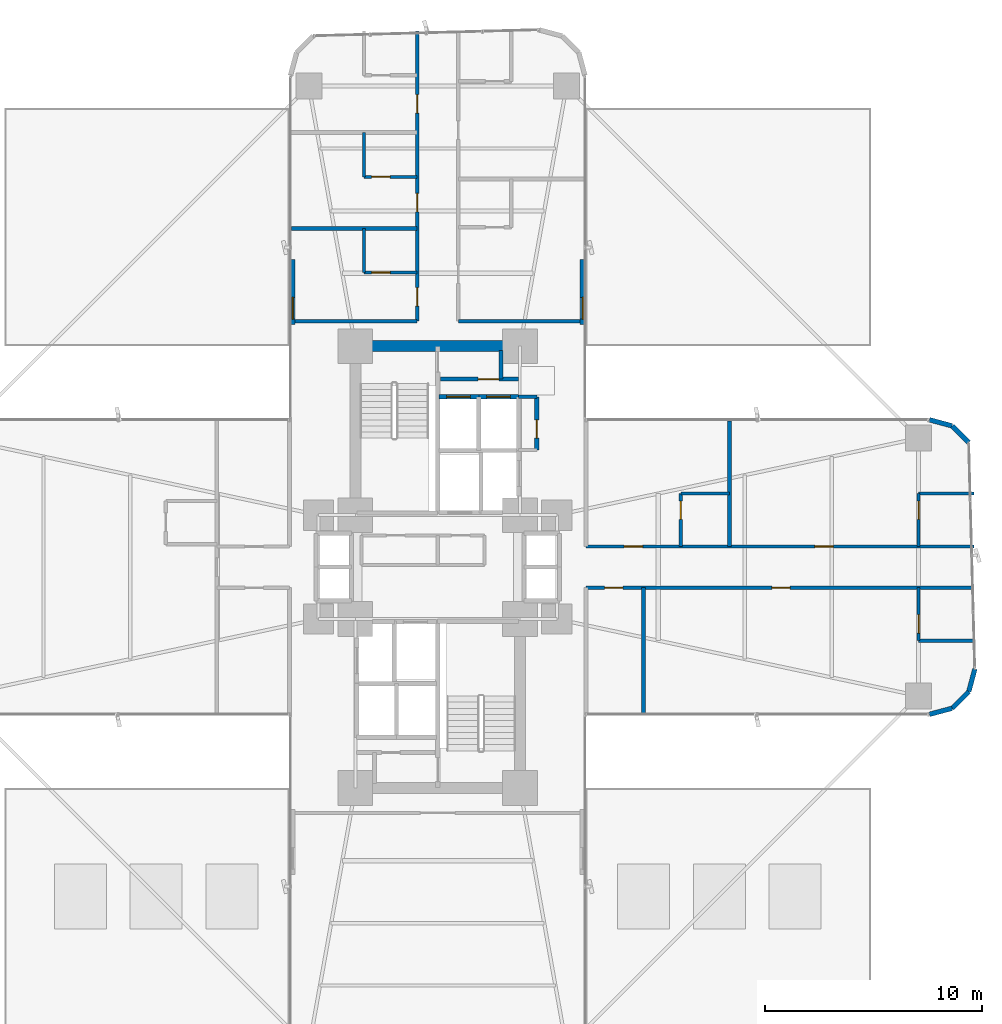
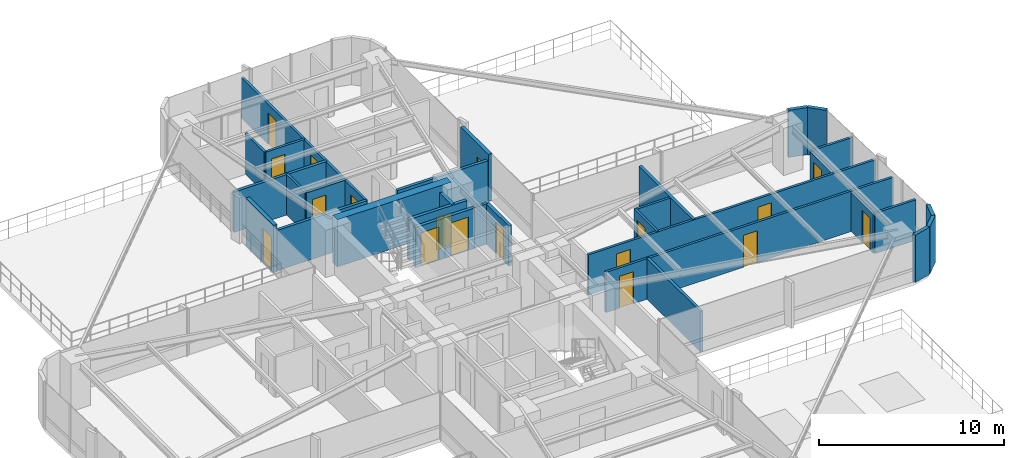
# One storey, part 23 of 27: 32 walls, 18 doors, 18 openings.
"""IFC4 building model written with IfcOpenShell, lengths in metres."""

from ifc_helpers import new_model, si_unit, direction, frame, frame_2d, origin, origin_2d, place, context, subcontext, project, spatial, rectangle, extrude, source, transform, mapped, material, layer, layer_set, type_object, element, fill, save


model = new_model("IFC4")

# Units and contexts
model_context = context("Model", 3, precision=1e-05, world=origin(), true_north=direction((0.0, 1.0)))
body_context = subcontext(model_context, "Body", "Model", "MODEL_VIEW")
ifc_project = project(units=[si_unit("LENGTHUNIT", "METRE"), si_unit("AREAUNIT", "SQUARE_METRE"), si_unit("VOLUMEUNIT", "CUBIC_METRE"), si_unit("PLANEANGLEUNIT", "RADIAN"), si_unit("MASSUNIT", "GRAM", prefix="KILO")], contexts=[model_context])

# Site, building, storey
site_placement = place(None, origin())
site = spatial("IfcSite", under=ifc_project, at=site_placement, CompositionType="ELEMENT")
building_placement = place(site_placement, origin())
building = spatial("IfcBuilding", under=site, at=building_placement, Name="Sahyath Konkavel Grand Hotel", CompositionType="ELEMENT")
storey_placement = place(building_placement, frame((0.0, 0.0, 23.10009765625)))
storey = spatial("IfcBuildingStorey", under=building, at=storey_placement, Name="L05", CompositionType="ELEMENT", Elevation=23.10009765625)

# Wall
ifc_material_1 = material(Name="Concrete C70/85", Category="concrete")
ifc_layer_1 = layer(ifc_material_1, 0.5)
ifc_layer_set_1 = layer_set([ifc_layer_1], Name="Concrete C70/85")
wall_type_1 = type_object("IfcWallType", Name="CWALL-500", PredefinedType="SHEAR", material=ifc_layer_set_1)
wall_1_placement = place(storey_placement, frame((-3.550048828125, 10.199951171875, 0.0), z_axis=(0.0, 0.0, 1.0), x_axis=(1.0, 0.0, 0.0)))
element("IfcWall", 1, at=wall_1_placement, inside=storey, type_object=wall_type_1, Name="L05 North Core Shear Wall N", PredefinedType="SHEAR", context=body_context, shape_type="SweptSolid", body=[
    extrude(rectangle(XDim=7.10009765625, YDim=0.5, at=frame_2d((3.550048828125, 0.0))), origin(), (0.0, 0.0, 1.0), 3.10986328125),
])

# Wall, opening, door
ifc_material_2 = material(Name="Warm Buff Sandstone Insulated Concrete C40/50", Category="masonry")
ifc_layer_2 = layer(ifc_material_2, 0.219970703125)
ifc_layer_set_2 = layer_set([ifc_layer_2], Name="Warm Buff Sandstone Insulated Concrete C40/50")
wall_type_2 = type_object("IfcWallType", Name="WLL-BALC-THRESH", PredefinedType="STANDARD", material=ifc_layer_set_2)
wall_2_placement = place(storey_placement, frame((-6.68994140625, 11.199951171875, 0.0), z_axis=(0.0, 0.0, 1.0), x_axis=(0.0, 1.0, 0.0)))
wall_2 = element("IfcWall", 2, at=wall_2_placement, inside=storey, type_object=wall_type_2, Name="L05 Podium Terrace Threshold Wall NW", PredefinedType="STANDARD", context=body_context, shape_type="SweptSolid", body=[
    extrude(rectangle(XDim=3.0, YDim=0.219970703125, at=frame_2d((1.5, 0.0))), origin(), (0.0, 0.0, 1.0), 3.10986328125),
])
opening_1_placement = place(wall_2_placement, frame((0.25, 0.0, 0.0)))
opening_1 = element("IfcOpeningElement", 3, at=opening_1_placement, cuts=wall_2, Name="Opening D-TR1", PredefinedType="OPENING", context=body_context, shape_type="SweptSolid", body=[
    extrude(rectangle(XDim=1.0, YDim=2.199951171875, at=frame_2d((0.5, 1.10009765625))), frame((0.0, 0.1201171875, 0.0), z_axis=(0.0, -1.0, 0.0), x_axis=(1.0, 0.0, 0.0)), (0.0, 0.0, 1.0), 0.239990234375),
])
ifc_material_3 = material(Name="Anodised Bronze Aluminium & Low-E Glazing", Category="aluminium")
door_type_1 = type_object("IfcDoorType", Name="DR-TERRACE-1000", OperationType="NOTDEFINED", PredefinedType="DOOR", material=ifc_material_3)
shared_shape_1 = source(origin(), body_context, "Body", "SweptSolid", [
    extrude(rectangle(XDim=1.0, YDim=0.050048828125, at=origin_2d()), origin(), (0.0, 0.0, 1.0), 2.199951171875),
])
door_1_placement = place(opening_1_placement, frame((0.5, 0.0, 0.0)))
door_1 = element("IfcDoor", 4, at=door_1_placement, inside=storey, type_object=door_type_1, Name="L05 Podium Terrace Access Door NW", OperationType="SINGLE_SWING_LEFT", OverallHeight=2.199951171875, OverallWidth=1.0, PredefinedType="DOOR", context=body_context, shape_type="MappedRepresentation", body=[
    mapped(shared_shape_1, transform((0.0, 0.0, 0.0), scale=1.0)),
])
fill(opening_1, door_1)

wall_3_placement = place(storey_placement, frame((6.68994140625, 11.199951171875, 0.0), z_axis=(0.0, 0.0, 1.0), x_axis=(0.0, 1.0, 0.0)))
wall_3 = element("IfcWall", 5, at=wall_3_placement, inside=storey, type_object=wall_type_2, Name="L05 Podium Terrace Threshold Wall NE", PredefinedType="STANDARD", context=body_context, shape_type="SweptSolid", body=[
    extrude(rectangle(XDim=3.0, YDim=0.219970703125, at=frame_2d((1.5, 0.0))), origin(), (0.0, 0.0, 1.0), 3.10986328125),
])
opening_2_placement = place(wall_3_placement, frame((0.25, 0.0, 0.0)))
opening_2 = element("IfcOpeningElement", 6, at=opening_2_placement, cuts=wall_3, Name="Opening D-TR1", PredefinedType="OPENING", context=body_context, shape_type="SweptSolid", body=[
    extrude(rectangle(XDim=1.0, YDim=2.199951171875, at=frame_2d((0.5, 1.10009765625))), frame((0.0, 0.1201171875, 0.0), z_axis=(0.0, -1.0, 0.0), x_axis=(1.0, 0.0, 0.0)), (0.0, 0.0, 1.0), 0.239990234375),
])
door_2_placement = place(opening_2_placement, frame((0.5, 0.0, 0.0)))
door_2 = element("IfcDoor", 7, at=door_2_placement, inside=storey, type_object=door_type_1, Name="L05 Podium Terrace Access Door NE", OperationType="SINGLE_SWING_RIGHT", OverallHeight=2.199951171875, OverallWidth=1.0, PredefinedType="DOOR", context=body_context, shape_type="MappedRepresentation", body=[
    mapped(shared_shape_1, transform((0.0, 0.0, 0.0), scale=1.0)),
])
fill(opening_2, door_2)

# Walls
for number, where, z_axis, x_axis, name in (
    (8, (22.699951171875, -6.800048828125, 0.0), (0.0, 0.0, 1.0), (0.965951058412, 0.25872485917, 0.0), "L05 Rounded Corner Sandstone Pier 1"),
    (9, (23.75, -6.518798828125, 0.0), (0.0, 0.0, 1.0), (0.707106781187, 0.707106781187, 0.0), "L05 Rounded Corner Sandstone Pier 2"),
    (10, (24.518798828125, -5.75, 0.0), (0.0, 0.0, 1.0), (0.25872485917, 0.965951058412, 0.0), "L05 Rounded Corner Sandstone Pier 3"),
    (11, (24.518798828125, 5.75, 0.0), (0.0, 0.0, 1.0), (-0.707106781187, 0.707106781187, 0.0), "L05 Rounded Corner Sandstone Pier 5"),
    (12, (23.75, 6.518798828125, 0.0), (0.0, 0.0, 1.0), (-0.965951058412, 0.25872485917, 0.0), "L05 Rounded Corner Sandstone Pier 6"),
):
    element("IfcWall", number, at=place(storey_placement, frame(where, z_axis=z_axis, x_axis=x_axis)), inside=storey, type_object=wall_type_2, Name=name, PredefinedType="STANDARD", context=body_context, shape_type="SweptSolid", body=[
        extrude(rectangle(XDim=1.087158203125, YDim=0.219970703125, at=frame_2d((0.54345703125, 0.0))), origin(), (0.0, 0.0, 1.0), 3.10986328125),
    ])

# Wall, opening, door
ifc_material_4 = material(Name="Concrete C40/50", Category="concrete")
ifc_layer_3 = layer(ifc_material_4, 0.199951171875)
ifc_layer_set_3 = layer_set([ifc_layer_3], Name="Concrete C40/50")
wall_type_3 = type_object("IfcWallType", Name="WLL-CORE-200", PredefinedType="SOLIDWALL", material=ifc_layer_set_3)
wall_4_placement = place(storey_placement, frame((0.050048828125, 7.860107421875, 0.0), z_axis=(0.0, 0.0, 1.0), x_axis=(1.0, 0.0, 0.0)))
wall_4 = element("IfcWall", 13, at=wall_4_placement, inside=storey, type_object=wall_type_3, Name="L05 Partition SH-PL1-N", PredefinedType="SOLIDWALL", context=body_context, shape_type="SweptSolid", body=[
    extrude(rectangle(XDim=1.849853515625, YDim=0.199951171875, at=frame_2d((0.9248046875, 0.0))), origin(), (0.0, 0.0, 1.0), 2.659912109375),
])
opening_3_placement = place(wall_4_placement, frame((0.360107421875, 0.0, 0.0)))
opening_3 = element("IfcOpeningElement", 14, at=opening_3_placement, cuts=wall_4, Name="Opening LD-11", PredefinedType="OPENING", context=body_context, shape_type="SweptSolid", body=[
    extrude(rectangle(XDim=1.10009765625, YDim=2.199951171875, at=frame_2d((0.550048828125, 1.10009765625))), frame((0.0, 0.10986328125, 0.0), z_axis=(0.0, -1.0, 0.0), x_axis=(1.0, 0.0, 0.0)), (0.0, 0.0, 1.0), 0.219970703125),
])
ifc_material_5 = material(Name="Bronze Lift Landing Door 1100")
door_type_2 = type_object("IfcDoorType", Name="DR-LIFT-1100", OperationType="DOUBLE_DOOR_SLIDING", PredefinedType="DOOR", material=ifc_material_5)
shared_shape_2 = source(origin(), body_context, "Body", "SweptSolid", [
    extrude(rectangle(XDim=1.10009765625, YDim=0.050048828125, at=origin_2d()), origin(), (0.0, 0.0, 1.0), 2.199951171875),
])
door_3_placement = place(opening_3_placement, frame((0.550048828125, 0.0, 0.0)))
door_3 = element("IfcDoor", 15, at=door_3_placement, inside=storey, type_object=door_type_2, Name="L05 Passenger Lift PL-1 Landing Door", OperationType="DOUBLE_DOOR_SLIDING", OverallHeight=2.199951171875, OverallWidth=1.10009765625, PredefinedType="DOOR", context=body_context, shape_type="MappedRepresentation", body=[
    mapped(shared_shape_2, transform((0.0, 0.0, 0.0), scale=1.0)),
])
fill(opening_3, door_3)

wall_5_placement = place(storey_placement, frame((1.89990234375, 7.860107421875, 0.0), z_axis=(0.0, 0.0, 1.0), x_axis=(1.0, 0.0, 0.0)))
wall_5 = element("IfcWall", 16, at=wall_5_placement, inside=storey, type_object=wall_type_3, Name="L05 Partition SH-PL2-N", PredefinedType="SOLIDWALL", context=body_context, shape_type="SweptSolid", body=[
    extrude(rectangle(XDim=1.840087890625, YDim=0.199951171875, at=frame_2d((0.919921875, 0.0))), origin(), (0.0, 0.0, 1.0), 2.659912109375),
])
opening_4_placement = place(wall_5_placement, frame((0.360107421875, 0.0, 0.0)))
opening_4 = element("IfcOpeningElement", 17, at=opening_4_placement, cuts=wall_5, Name="Opening LD-11", PredefinedType="OPENING", context=body_context, shape_type="SweptSolid", body=[
    extrude(rectangle(XDim=1.10009765625, YDim=2.199951171875, at=frame_2d((0.550048828125, 1.10009765625))), frame((0.0, 0.10986328125, 0.0), z_axis=(0.0, -1.0, 0.0), x_axis=(1.0, 0.0, 0.0)), (0.0, 0.0, 1.0), 0.219970703125),
])
door_4_placement = place(opening_4_placement, frame((0.550048828125, 0.0, 0.0)))
door_4 = element("IfcDoor", 18, at=door_4_placement, inside=storey, type_object=door_type_2, Name="L05 Passenger Lift PL-2 Landing Door", OperationType="DOUBLE_DOOR_SLIDING", OverallHeight=2.199951171875, OverallWidth=1.10009765625, PredefinedType="DOOR", context=body_context, shape_type="MappedRepresentation", body=[
    mapped(shared_shape_2, transform((0.0, 0.0, 0.0), scale=1.0)),
])
fill(opening_4, door_4)

wall_6_placement = place(storey_placement, frame((0.1201171875, 8.679931640625, 0.0), z_axis=(0.0, 0.0, 1.0), x_axis=(1.0, 0.0, 0.0)))
wall_6 = element("IfcWall", 19, at=wall_6_placement, inside=storey, type_object=wall_type_3, Name="L05 North FF Lobby Separation Wall", PredefinedType="SOLIDWALL", context=body_context, shape_type="SweptSolid", body=[
    extrude(rectangle(XDim=3.619873046875, YDim=0.199951171875, at=frame_2d((1.81005859375, 0.0))), origin(), (0.0, 0.0, 1.0), 2.659912109375),
])
opening_5_placement = place(wall_6_placement, frame((1.75, 0.0, 0.0)))
opening_5 = element("IfcOpeningElement", 20, at=opening_5_placement, cuts=wall_6, Name="Opening D-F12C", PredefinedType="OPENING", context=body_context, shape_type="SweptSolid", body=[
    extrude(rectangle(XDim=0.949951171875, YDim=2.14990234375, at=frame_2d((0.47509765625, 1.074951171875))), frame((0.0, 0.10986328125, 0.0), z_axis=(0.0, -1.0, 0.0), x_axis=(1.0, 0.0, 0.0)), (0.0, 0.0, 1.0), 0.219970703125),
])
ifc_material_6 = material(Name="Steel E350 Plant Fire Door", Category="steel")
door_type_3 = type_object("IfcDoorType", Name="DR-FD120-950", OperationType="NOTDEFINED", PredefinedType="DOOR", material=ifc_material_6)
shared_shape_3 = source(origin(), body_context, "Body", "SweptSolid", [
    extrude(rectangle(XDim=0.949951171875, YDim=0.050048828125, at=origin_2d()), origin(), (0.0, 0.0, 1.0), 2.14990234375),
])
door_5_placement = place(opening_5_placement, frame((0.47509765625, 0.0, 0.0)))
door_5 = element("IfcDoor", 21, at=door_5_placement, inside=storey, type_object=door_type_3, Name="L05 North Firefighting Lobby Door", OperationType="SINGLE_SWING_RIGHT", OverallHeight=2.14990234375, OverallWidth=0.949951171875, PredefinedType="DOOR", context=body_context, shape_type="MappedRepresentation", body=[
    mapped(shared_shape_3, transform((0.0, 0.0, 0.0), scale=1.0)),
])
fill(opening_5, door_5)

# Wall
wall_7_placement = place(storey_placement, frame((2.919921875, 8.679931640625, 0.0), z_axis=(0.0, 0.0, 1.0), x_axis=(0.0, 1.0, 0.0)))
element("IfcWall", 22, at=wall_7_placement, inside=storey, type_object=wall_type_3, Name="L05 Partition NFF-E2", PredefinedType="SOLIDWALL", context=body_context, shape_type="SweptSolid", body=[
    extrude(rectangle(XDim=1.320068359375, YDim=0.199951171875, at=frame_2d((0.66015625, 0.0))), origin(), (0.0, 0.0, 1.0), 2.659912109375),
])

# Wall, opening, door
wall_8_placement = place(storey_placement, frame((4.580078125, 5.39990234375, 0.0), z_axis=(0.0, 0.0, 1.0), x_axis=(0.0, 1.0, 0.0)))
wall_8 = element("IfcWall", 23, at=wall_8_placement, inside=storey, type_object=wall_type_3, Name="L05 Partition NC-FLK-E", PredefinedType="SOLIDWALL", context=body_context, shape_type="SweptSolid", body=[
    extrude(rectangle(XDim=2.460205078125, YDim=0.199951171875, at=frame_2d((1.22998046875, 0.0))), origin(), (0.0, 0.0, 1.0), 2.659912109375),
])
opening_6_placement = place(wall_8_placement, frame((0.550048828125, 0.0, 0.0)))
opening_6 = element("IfcOpeningElement", 24, at=opening_6_placement, cuts=wall_8, Name="Opening D-F06D", PredefinedType="OPENING", context=body_context, shape_type="SweptSolid", body=[
    extrude(rectangle(XDim=0.85009765625, YDim=2.10009765625, at=frame_2d((0.425048828125, 1.050048828125))), frame((0.0, 0.10986328125, 0.0), z_axis=(0.0, -1.0, 0.0), x_axis=(1.0, 0.0, 0.0)), (0.0, 0.0, 1.0), 0.219970703125),
])
ifc_material_7 = material(Name="Fire-Rated Shaft Access Door")
door_type_4 = type_object("IfcDoorType", Name="DR-FD60-850", OperationType="NOTDEFINED", PredefinedType="DOOR", material=ifc_material_7)
shared_shape_4 = source(origin(), body_context, "Body", "SweptSolid", [
    extrude(rectangle(XDim=0.85009765625, YDim=0.050048828125, at=origin_2d()), origin(), (0.0, 0.0, 1.0), 2.10009765625),
])
door_6_placement = place(opening_6_placement, frame((0.425048828125, 0.0, 0.0)))
door_6 = element("IfcDoor", 25, at=door_6_placement, inside=storey, type_object=door_type_4, Name="L05 Door NC-FLK1-D", OperationType="SINGLE_SWING_LEFT", OverallHeight=2.10009765625, OverallWidth=0.85009765625, PredefinedType="DOOR", context=body_context, shape_type="MappedRepresentation", body=[
    mapped(shared_shape_4, transform((0.0, 0.0, 0.0), scale=1.0)),
])
fill(opening_6, door_6)

# Walls
ifc_material_8 = material(Name="Twin-Stud Acoustic Gypsum Plasterboard Partition")
ifc_layer_4 = layer(ifc_material_8, 0.179931640625)
ifc_layer_set_4 = layer_set([ifc_layer_4], Name="Twin-Stud Acoustic Gypsum Plasterboard Partition")
wall_type_4 = type_object("IfcWallType", Name="WLL-DEMISE-180", PredefinedType="PARTITIONING", material=ifc_layer_set_4)
for number, where, z_axis, x_axis, name in (
    (26, (13.472900390625, 0.949951171875, 0.0), (0.0, 0.0, 1.0), (0.0, 1.0, 0.0), "L05 Partition E-E1L-DEM"),
    (27, (9.5, -0.949951171875, 0.0), (0.0, 0.0, 1.0), (0.0, -1.0, 0.0), "L05 Partition E-EHK-DEM"),
    (28, (-0.949951171875, 11.35009765625, 0.0), (0.0, 0.0, 1.0), (-1.0, 0.0, 0.0), "L05 Partition N-INL"),
    (29, (6.75, 11.35009765625, 0.0), (0.0, 0.0, 1.0), (-1.0, 0.0, 0.0), "L05 Partition N-INR"),
    (30, (-0.949951171875, 15.637939453125, 0.0), (0.0, 0.0, 1.0), (-1.0, 0.0, 0.0), "L05 Partition N-N1L-DEM"),
):
    element("IfcWall", number, at=place(storey_placement, frame(where, z_axis=z_axis, x_axis=x_axis)), inside=storey, type_object=wall_type_4, Name=name, PredefinedType="PARTITIONING", context=body_context, shape_type="SweptSolid", body=[
        extrude(rectangle(XDim=5.800048828125, YDim=0.179931640625, at=frame_2d((2.89990234375, 0.0))), origin(), (0.0, 0.0, 1.0), 2.659912109375),
    ])
ifc_material_9 = material(Name="Fire-Rated Gypsum Plasterboard Partition")
ifc_layer_5 = layer(ifc_material_9, 0.14990234375)
ifc_layer_set_5 = layer_set([ifc_layer_5], Name="Fire-Rated Gypsum Plasterboard Partition")
wall_type_5 = type_object("IfcWallType", Name="WLL-PART-150", PredefinedType="PARTITIONING", material=ifc_layer_set_5)
wall_9_placement = place(storey_placement, frame((3.739990234375, 7.860107421875, 0.0), z_axis=(0.0, 0.0, 1.0), x_axis=(1.0, 0.0, 0.0)))
element("IfcWall", 31, at=wall_9_placement, inside=storey, type_object=wall_type_5, Name="L05 Partition NC-FLK-N", PredefinedType="PARTITIONING", context=body_context, shape_type="SweptSolid", body=[
    extrude(rectangle(XDim=0.840087890625, YDim=0.14990234375, at=frame_2d((0.419921875, 0.0))), origin(), (0.0, 0.0, 1.0), 2.659912109375),
])

# Wall, openings, doors
wall_10_placement = place(storey_placement, frame((6.85009765625, 0.949951171875, 0.0), z_axis=(0.0, 0.0, 1.0), x_axis=(1.0, 0.0, 0.0)))
wall_10 = element("IfcWall", 32, at=wall_10_placement, inside=storey, type_object=wall_type_5, Name="L05 Partition E-CL", PredefinedType="PARTITIONING", context=body_context, shape_type="SweptSolid", body=[
    extrude(rectangle(XDim=17.89990234375, YDim=0.14990234375, at=frame_2d((8.949951171875, 0.0))), origin(), (0.0, 0.0, 1.0), 2.659912109375),
])
opening_7_placement = place(wall_10_placement, frame((1.760009765625, 0.0, 0.0)))
opening_7 = element("IfcOpeningElement", 33, at=opening_7_placement, cuts=wall_10, Name="Opening D-F06D", PredefinedType="OPENING", context=body_context, shape_type="SweptSolid", body=[
    extrude(rectangle(XDim=0.85009765625, YDim=2.10009765625, at=frame_2d((0.425048828125, 1.050048828125))), frame((0.0, 0.0849609375, 0.0), z_axis=(0.0, -1.0, 0.0), x_axis=(1.0, 0.0, 0.0)), (0.0, 0.0, 1.0), 0.169921875),
])
opening_8_placement = place(wall_10_placement, frame((10.56201171875, 0.0, 0.0)))
opening_8 = element("IfcOpeningElement", 34, at=opening_8_placement, cuts=wall_10, Name="Opening D-F06D", PredefinedType="OPENING", context=body_context, shape_type="SweptSolid", body=[
    extrude(rectangle(XDim=0.85009765625, YDim=2.10009765625, at=frame_2d((0.425048828125, 1.050048828125))), frame((0.0, 0.0849609375, 0.0), z_axis=(0.0, -1.0, 0.0), x_axis=(1.0, 0.0, 0.0)), (0.0, 0.0, 1.0), 0.169921875),
])
door_7_placement = place(opening_7_placement, frame((0.425048828125, 0.0, 0.0)))
door_7 = element("IfcDoor", 35, at=door_7_placement, inside=storey, type_object=door_type_4, Name="L05 Door E-E1L-ED", OperationType="SINGLE_SWING_LEFT", OverallHeight=2.10009765625, OverallWidth=0.85009765625, PredefinedType="DOOR", context=body_context, shape_type="MappedRepresentation", body=[
    mapped(shared_shape_4, transform((0.0, 0.0, 0.0), scale=1.0)),
])
fill(opening_7, door_7)
door_8_placement = place(opening_8_placement, frame((0.425048828125, 0.0, 0.0)))
door_8 = element("IfcDoor", 36, at=door_8_placement, inside=storey, type_object=door_type_4, Name="L05 Door E-E2L-ED", OperationType="SINGLE_SWING_LEFT", OverallHeight=2.10009765625, OverallWidth=0.85009765625, PredefinedType="DOOR", context=body_context, shape_type="MappedRepresentation", body=[
    mapped(shared_shape_4, transform((0.0, 0.0, 0.0), scale=1.0)),
])
fill(opening_8, door_8)

wall_11_placement = place(storey_placement, frame((6.85009765625, -0.949951171875, 0.0), z_axis=(0.0, 0.0, 1.0), x_axis=(1.0, 0.0, 0.0)))
wall_11 = element("IfcWall", 37, at=wall_11_placement, inside=storey, type_object=wall_type_5, Name="L05 Partition E-CR", PredefinedType="PARTITIONING", context=body_context, shape_type="SweptSolid", body=[
    extrude(rectangle(XDim=17.89990234375, YDim=0.14990234375, at=frame_2d((8.949951171875, 0.0))), origin(), (0.0, 0.0, 1.0), 2.659912109375),
])
opening_9_placement = place(wall_11_placement, frame((0.85009765625, 0.0, 0.0)))
opening_9 = element("IfcOpeningElement", 38, at=opening_9_placement, cuts=wall_11, Name="Opening D-F06D", PredefinedType="OPENING", context=body_context, shape_type="SweptSolid", body=[
    extrude(rectangle(XDim=0.85009765625, YDim=2.10009765625, at=frame_2d((0.425048828125, 1.050048828125))), frame((0.0, 0.0849609375, 0.0), z_axis=(0.0, -1.0, 0.0), x_axis=(1.0, 0.0, 0.0)), (0.0, 0.0, 1.0), 0.169921875),
])
opening_10_placement = place(wall_11_placement, frame((8.574951171875, 0.0, 0.0)))
opening_10 = element("IfcOpeningElement", 39, at=opening_10_placement, cuts=wall_11, Name="Opening D-F06D", PredefinedType="OPENING", context=body_context, shape_type="SweptSolid", body=[
    extrude(rectangle(XDim=0.85009765625, YDim=2.10009765625, at=frame_2d((0.425048828125, 1.050048828125))), frame((0.0, 0.0849609375, 0.0), z_axis=(0.0, -1.0, 0.0), x_axis=(1.0, 0.0, 0.0)), (0.0, 0.0, 1.0), 0.169921875),
])
door_9_placement = place(opening_9_placement, frame((0.425048828125, 0.0, 0.0)))
door_9 = element("IfcDoor", 40, at=door_9_placement, inside=storey, type_object=door_type_4, Name="L05 Door E-EHK-D", OperationType="SINGLE_SWING_RIGHT", OverallHeight=2.10009765625, OverallWidth=0.85009765625, PredefinedType="DOOR", context=body_context, shape_type="MappedRepresentation", body=[
    mapped(shared_shape_4, transform((0.0, 0.0, 0.0), scale=1.0)),
])
fill(opening_9, door_9)
door_10_placement = place(opening_10_placement, frame((0.425048828125, 0.0, 0.0)))
door_10 = element("IfcDoor", 41, at=door_10_placement, inside=storey, type_object=door_type_4, Name="L05 Door E-E2R-ED", OperationType="SINGLE_SWING_RIGHT", OverallHeight=2.10009765625, OverallWidth=0.85009765625, PredefinedType="DOOR", context=body_context, shape_type="MappedRepresentation", body=[
    mapped(shared_shape_4, transform((0.0, 0.0, 0.0), scale=1.0)),
])
fill(opening_10, door_10)

# Wall, opening, door
wall_12_placement = place(storey_placement, frame((11.220947265625, 0.949951171875, 0.0), z_axis=(0.0, 0.0, 1.0), x_axis=(0.0, 1.0, 0.0)))
wall_12 = element("IfcWall", 42, at=wall_12_placement, inside=storey, type_object=wall_type_5, Name="L05 Partition E-E1L-BS", PredefinedType="PARTITIONING", context=body_context, shape_type="SweptSolid", body=[
    extrude(rectangle(XDim=2.449951171875, YDim=0.14990234375, at=frame_2d((1.22509765625, 0.0))), origin(), (0.0, 0.0, 1.0), 2.659912109375),
])
opening_11_placement = place(wall_12_placement, frame((1.25, 0.0, 0.0)))
opening_11 = element("IfcOpeningElement", 43, at=opening_11_placement, cuts=wall_12, Name="Opening D-BT85", PredefinedType="OPENING", context=body_context, shape_type="SweptSolid", body=[
    extrude(rectangle(XDim=0.85009765625, YDim=2.10009765625, at=frame_2d((0.425048828125, 1.050048828125))), frame((0.0, 0.0849609375, 0.0), z_axis=(0.0, -1.0, 0.0), x_axis=(1.0, 0.0, 0.0)), (0.0, 0.0, 1.0), 0.169921875),
])
ifc_material_10 = material(Name="Moisture-Resistant Teak Bathroom Door")
door_type_5 = type_object("IfcDoorType", Name="DR-BATH-850", OperationType="NOTDEFINED", PredefinedType="DOOR", material=ifc_material_10)
door_11_placement = place(opening_11_placement, frame((0.425048828125, 0.0, 0.0)))
door_11 = element("IfcDoor", 44, at=door_11_placement, inside=storey, type_object=door_type_5, Name="L05 Door E-E1L-BD", OperationType="SINGLE_SWING_RIGHT", OverallHeight=2.10009765625, OverallWidth=0.85009765625, PredefinedType="DOOR", context=body_context, shape_type="MappedRepresentation", body=[
    mapped(shared_shape_4, transform((0.0, 0.0, 0.0), scale=1.0)),
])
fill(opening_11, door_11)

# Wall
wall_13_placement = place(storey_placement, frame((11.220947265625, 3.39990234375, 0.0), z_axis=(0.0, 0.0, 1.0), x_axis=(1.0, 0.0, 0.0)))
element("IfcWall", 45, at=wall_13_placement, inside=storey, type_object=wall_type_5, Name="L05 Partition E-E1L-BF", PredefinedType="PARTITIONING", context=body_context, shape_type="SweptSolid", body=[
    extrude(rectangle(XDim=2.251953125, YDim=0.14990234375, at=frame_2d((1.1259765625, 0.0))), origin(), (0.0, 0.0, 1.0), 2.6298828125),
])

# Wall, opening, door
wall_14_placement = place(storey_placement, frame((22.199951171875, 0.949951171875, 0.0), z_axis=(0.0, 0.0, 1.0), x_axis=(0.0, 1.0, 0.0)))
wall_14 = element("IfcWall", 46, at=wall_14_placement, inside=storey, type_object=wall_type_5, Name="L05 Partition E-E2L-BS", PredefinedType="PARTITIONING", context=body_context, shape_type="SweptSolid", body=[
    extrude(rectangle(XDim=2.449951171875, YDim=0.14990234375, at=frame_2d((1.22509765625, 0.0))), origin(), (0.0, 0.0, 1.0), 2.579833984375),
])
opening_12_placement = place(wall_14_placement, frame((1.25, 0.0, 0.0)))
opening_12 = element("IfcOpeningElement", 47, at=opening_12_placement, cuts=wall_14, Name="Opening D-BT85", PredefinedType="OPENING", context=body_context, shape_type="SweptSolid", body=[
    extrude(rectangle(XDim=0.85009765625, YDim=2.10009765625, at=frame_2d((0.425048828125, 1.050048828125))), frame((0.0, 0.0849609375, 0.0), z_axis=(0.0, -1.0, 0.0), x_axis=(1.0, 0.0, 0.0)), (0.0, 0.0, 1.0), 0.169921875),
])
door_12_placement = place(opening_12_placement, frame((0.425048828125, 0.0, 0.0)))
door_12 = element("IfcDoor", 48, at=door_12_placement, inside=storey, type_object=door_type_5, Name="L05 Door E-E2L-BD", OperationType="SINGLE_SWING_RIGHT", OverallHeight=2.10009765625, OverallWidth=0.85009765625, PredefinedType="DOOR", context=body_context, shape_type="MappedRepresentation", body=[
    mapped(shared_shape_4, transform((0.0, 0.0, 0.0), scale=1.0)),
])
fill(opening_12, door_12)

# Wall
wall_15_placement = place(storey_placement, frame((22.199951171875, 3.39990234375, 0.0), z_axis=(0.0, 0.0, 1.0), x_axis=(1.0, 0.0, 0.0)))
element("IfcWall", 49, at=wall_15_placement, inside=storey, type_object=wall_type_5, Name="L05 Partition E-E2L-BF", PredefinedType="PARTITIONING", context=body_context, shape_type="SweptSolid", body=[
    extrude(rectangle(XDim=2.550048828125, YDim=0.14990234375, at=frame_2d((1.27490234375, 0.0))), origin(), (0.0, 0.0, 1.0), 2.659912109375),
])

# Wall, opening, door
wall_16_placement = place(storey_placement, frame((22.199951171875, -0.949951171875, 0.0), z_axis=(0.0, 0.0, 1.0), x_axis=(0.0, -1.0, 0.0)))
wall_16 = element("IfcWall", 50, at=wall_16_placement, inside=storey, type_object=wall_type_5, Name="L05 Partition E-E2R-BS", PredefinedType="PARTITIONING", context=body_context, shape_type="SweptSolid", body=[
    extrude(rectangle(XDim=2.449951171875, YDim=0.14990234375, at=frame_2d((1.22509765625, 0.0))), origin(), (0.0, 0.0, 1.0), 2.579833984375),
])
opening_13_placement = place(wall_16_placement, frame((1.25, 0.0, 0.0)))
opening_13 = element("IfcOpeningElement", 51, at=opening_13_placement, cuts=wall_16, Name="Opening D-BT85", PredefinedType="OPENING", context=body_context, shape_type="SweptSolid", body=[
    extrude(rectangle(XDim=0.85009765625, YDim=2.10009765625, at=frame_2d((0.425048828125, 1.050048828125))), frame((0.0, 0.0849609375, 0.0), z_axis=(0.0, -1.0, 0.0), x_axis=(1.0, 0.0, 0.0)), (0.0, 0.0, 1.0), 0.169921875),
])
door_13_placement = place(opening_13_placement, frame((0.425048828125, 0.0, 0.0)))
door_13 = element("IfcDoor", 52, at=door_13_placement, inside=storey, type_object=door_type_5, Name="L05 Door E-E2R-BD", OperationType="SINGLE_SWING_LEFT", OverallHeight=2.10009765625, OverallWidth=0.85009765625, PredefinedType="DOOR", context=body_context, shape_type="MappedRepresentation", body=[
    mapped(shared_shape_4, transform((0.0, 0.0, 0.0), scale=1.0)),
])
fill(opening_13, door_13)

# Wall
wall_17_placement = place(storey_placement, frame((22.199951171875, -3.39990234375, 0.0), z_axis=(0.0, 0.0, 1.0), x_axis=(1.0, 0.0, 0.0)))
element("IfcWall", 53, at=wall_17_placement, inside=storey, type_object=wall_type_5, Name="L05 Partition E-E2R-BF", PredefinedType="PARTITIONING", context=body_context, shape_type="SweptSolid", body=[
    extrude(rectangle(XDim=2.550048828125, YDim=0.14990234375, at=frame_2d((1.27490234375, 0.0))), origin(), (0.0, 0.0, 1.0), 2.659912109375),
])

# Wall, openings, doors
wall_18_placement = place(storey_placement, frame((-0.949951171875, 11.35009765625, 0.0), z_axis=(0.0, 0.0, 1.0), x_axis=(0.0, 1.0, 0.0)))
wall_18 = element("IfcWall", 54, at=wall_18_placement, inside=storey, type_object=wall_type_5, Name="L05 Partition N-CL", PredefinedType="PARTITIONING", context=body_context, shape_type="SweptSolid", body=[
    extrude(rectangle(XDim=13.39990234375, YDim=0.14990234375, at=frame_2d((6.699951171875, 0.0))), origin(), (0.0, 0.0, 1.0), 2.659912109375),
])
opening_14_placement = place(wall_18_placement, frame((0.699951171875, 0.0, 0.0)))
opening_14 = element("IfcOpeningElement", 55, at=opening_14_placement, cuts=wall_18, Name="Opening D-F06D", PredefinedType="OPENING", context=body_context, shape_type="SweptSolid", body=[
    extrude(rectangle(XDim=0.85009765625, YDim=2.10009765625, at=frame_2d((0.425048828125, 1.050048828125))), frame((0.0, 0.0849609375, 0.0), z_axis=(0.0, -1.0, 0.0), x_axis=(1.0, 0.0, 0.0)), (0.0, 0.0, 1.0), 0.169921875),
])
opening_15_placement = place(wall_18_placement, frame((5.049072265625, 0.0, 0.0)))
opening_15 = element("IfcOpeningElement", 56, at=opening_15_placement, cuts=wall_18, Name="Opening D-F06D", PredefinedType="OPENING", context=body_context, shape_type="SweptSolid", body=[
    extrude(rectangle(XDim=0.85009765625, YDim=2.10009765625, at=frame_2d((0.425048828125, 1.050048828125))), frame((0.0, 0.0849609375, 0.0), z_axis=(0.0, -1.0, 0.0), x_axis=(1.0, 0.0, 0.0)), (0.0, 0.0, 1.0), 0.169921875),
])
opening_16_placement = place(wall_18_placement, frame((9.60498046875, 0.0, 0.0)))
opening_16 = element("IfcOpeningElement", 57, at=opening_16_placement, cuts=wall_18, Name="Opening D-F06D", PredefinedType="OPENING", context=body_context, shape_type="SweptSolid", body=[
    extrude(rectangle(XDim=0.85009765625, YDim=2.10009765625, at=frame_2d((0.425048828125, 1.050048828125))), frame((0.0, 0.0849609375, 0.0), z_axis=(0.0, -1.0, 0.0), x_axis=(1.0, 0.0, 0.0)), (0.0, 0.0, 1.0), 0.169921875),
])
door_14_placement = place(opening_14_placement, frame((0.425048828125, 0.0, 0.0)))
door_14 = element("IfcDoor", 58, at=door_14_placement, inside=storey, type_object=door_type_4, Name="L05 Door N-N1L-ED", OperationType="SINGLE_SWING_RIGHT", OverallHeight=2.10009765625, OverallWidth=0.85009765625, PredefinedType="DOOR", context=body_context, shape_type="MappedRepresentation", body=[
    mapped(shared_shape_4, transform((0.0, 0.0, 0.0), scale=1.0)),
])
fill(opening_14, door_14)
door_15_placement = place(opening_15_placement, frame((0.425048828125, 0.0, 0.0)))
door_15 = element("IfcDoor", 59, at=door_15_placement, inside=storey, type_object=door_type_4, Name="L05 Door N-N2L-ED", OperationType="SINGLE_SWING_RIGHT", OverallHeight=2.10009765625, OverallWidth=0.85009765625, PredefinedType="DOOR", context=body_context, shape_type="MappedRepresentation", body=[
    mapped(shared_shape_4, transform((0.0, 0.0, 0.0), scale=1.0)),
])
fill(opening_15, door_15)
door_16_placement = place(opening_16_placement, frame((0.425048828125, 0.0, 0.0)))
door_16 = element("IfcDoor", 60, at=door_16_placement, inside=storey, type_object=door_type_4, Name="L05 Door N-N3L-ED", OperationType="SINGLE_SWING_RIGHT", OverallHeight=2.10009765625, OverallWidth=0.85009765625, PredefinedType="DOOR", context=body_context, shape_type="MappedRepresentation", body=[
    mapped(shared_shape_4, transform((0.0, 0.0, 0.0), scale=1.0)),
])
fill(opening_16, door_16)

# Wall, opening, door
wall_19_placement = place(storey_placement, frame((-0.949951171875, 13.60009765625, 0.0), z_axis=(0.0, 0.0, 1.0), x_axis=(-1.0, 0.0, 0.0)))
wall_19 = element("IfcWall", 61, at=wall_19_placement, inside=storey, type_object=wall_type_5, Name="L05 Partition N-N1L-BS", PredefinedType="PARTITIONING", context=body_context, shape_type="SweptSolid", body=[
    extrude(rectangle(XDim=2.449951171875, YDim=0.14990234375, at=frame_2d((1.22509765625, 0.0))), origin(), (0.0, 0.0, 1.0), 2.659912109375),
])
opening_17_placement = place(wall_19_placement, frame((1.25, 0.0, 0.0)))
opening_17 = element("IfcOpeningElement", 62, at=opening_17_placement, cuts=wall_19, Name="Opening D-BT85", PredefinedType="OPENING", context=body_context, shape_type="SweptSolid", body=[
    extrude(rectangle(XDim=0.85009765625, YDim=2.10009765625, at=frame_2d((0.425048828125, 1.050048828125))), frame((0.0, 0.0849609375, 0.0), z_axis=(0.0, -1.0, 0.0), x_axis=(1.0, 0.0, 0.0)), (0.0, 0.0, 1.0), 0.169921875),
])
door_17_placement = place(opening_17_placement, frame((0.425048828125, 0.0, 0.0)))
door_17 = element("IfcDoor", 63, at=door_17_placement, inside=storey, type_object=door_type_5, Name="L05 Door N-N1L-BD", OperationType="SINGLE_SWING_LEFT", OverallHeight=2.10009765625, OverallWidth=0.85009765625, PredefinedType="DOOR", context=body_context, shape_type="MappedRepresentation", body=[
    mapped(shared_shape_4, transform((0.0, 0.0, 0.0), scale=1.0)),
])
fill(opening_17, door_17)

# Wall
wall_20_placement = place(storey_placement, frame((-3.39990234375, 13.60009765625, 0.0), z_axis=(0.0, 0.0, 1.0), x_axis=(0.0, 1.0, 0.0)))
element("IfcWall", 64, at=wall_20_placement, inside=storey, type_object=wall_type_5, Name="L05 Partition N-N1L-BF", PredefinedType="PARTITIONING", context=body_context, shape_type="SweptSolid", body=[
    extrude(rectangle(XDim=2.037841796875, YDim=0.14990234375, at=frame_2d((1.01904296875, 0.0))), origin(), (0.0, 0.0, 1.0), 2.659912109375),
])

# Wall, opening, door
wall_21_placement = place(storey_placement, frame((-0.949951171875, 18.010009765625, 0.0), z_axis=(0.0, 0.0, 1.0), x_axis=(-1.0, 0.0, 0.0)))
wall_21 = element("IfcWall", 65, at=wall_21_placement, inside=storey, type_object=wall_type_5, Name="L05 Partition N-N2L-BS", PredefinedType="PARTITIONING", context=body_context, shape_type="SweptSolid", body=[
    extrude(rectangle(XDim=2.449951171875, YDim=0.14990234375, at=frame_2d((1.22509765625, 0.0))), origin(), (0.0, 0.0, 1.0), 2.659912109375),
])
opening_18_placement = place(wall_21_placement, frame((1.25, 0.0, 0.0)))
opening_18 = element("IfcOpeningElement", 66, at=opening_18_placement, cuts=wall_21, Name="Opening D-BT85", PredefinedType="OPENING", context=body_context, shape_type="SweptSolid", body=[
    extrude(rectangle(XDim=0.85009765625, YDim=2.10009765625, at=frame_2d((0.425048828125, 1.050048828125))), frame((0.0, 0.0849609375, 0.0), z_axis=(0.0, -1.0, 0.0), x_axis=(1.0, 0.0, 0.0)), (0.0, 0.0, 1.0), 0.169921875),
])
door_18_placement = place(opening_18_placement, frame((0.425048828125, 0.0, 0.0)))
door_18 = element("IfcDoor", 67, at=door_18_placement, inside=storey, type_object=door_type_5, Name="L05 Door N-N2L-BD", OperationType="SINGLE_SWING_LEFT", OverallHeight=2.10009765625, OverallWidth=0.85009765625, PredefinedType="DOOR", context=body_context, shape_type="MappedRepresentation", body=[
    mapped(shared_shape_4, transform((0.0, 0.0, 0.0), scale=1.0)),
])
fill(opening_18, door_18)

# Wall
wall_22_placement = place(storey_placement, frame((-3.39990234375, 18.010009765625, 0.0), z_axis=(0.0, 0.0, 1.0), x_axis=(0.0, 1.0, 0.0)))
element("IfcWall", 68, at=wall_22_placement, inside=storey, type_object=wall_type_5, Name="L05 Partition N-N2L-BF", PredefinedType="PARTITIONING", context=body_context, shape_type="SweptSolid", body=[
    extrude(rectangle(XDim=2.050048828125, YDim=0.14990234375, at=frame_2d((1.02490234375, 0.0))), origin(), (0.0, 0.0, 1.0), 2.659912109375),
])

save(model, "model.ifc")
